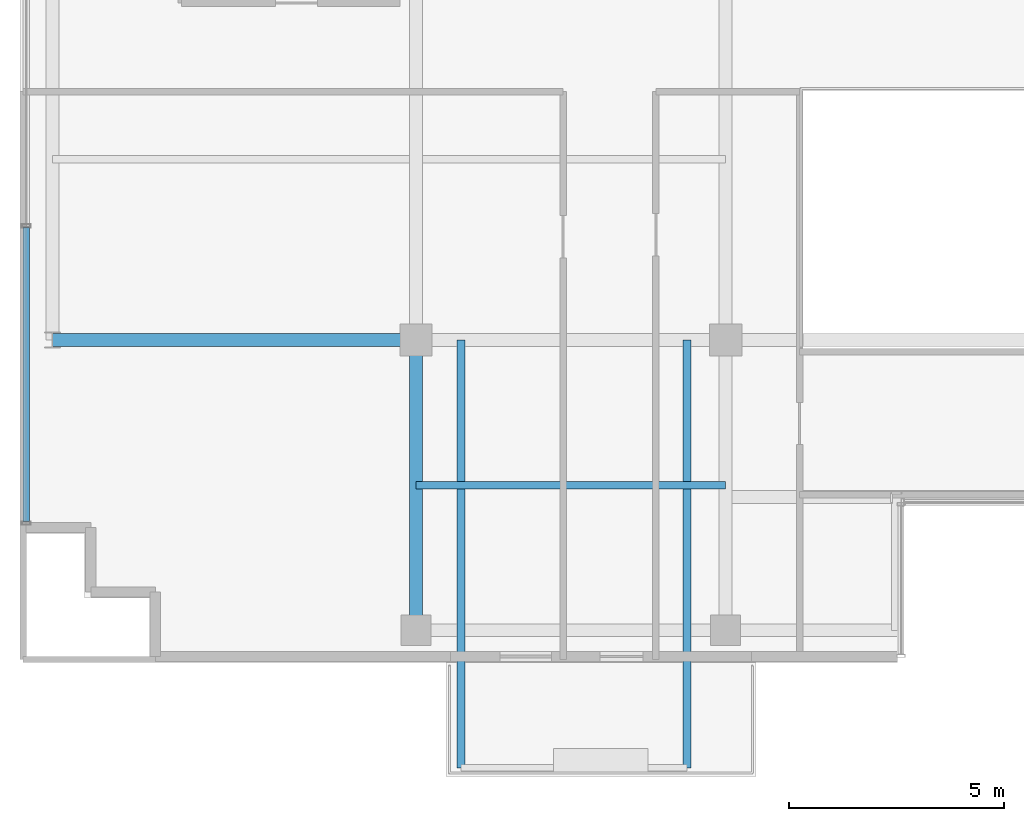
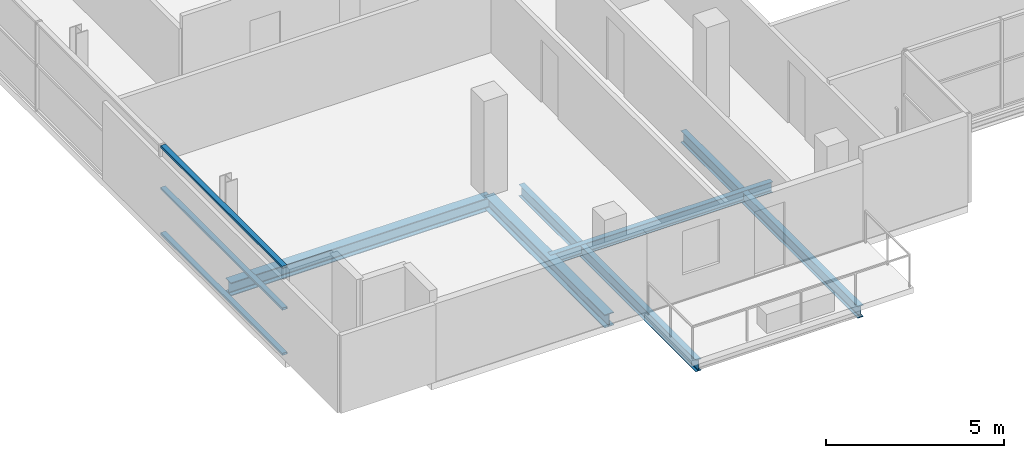
# One storey, part 3 of 22: 5 beams, 3 members, 1 element without a shape of its own.
"""IFC4 building model written with IfcOpenShell, lengths in metres."""

from ifc_helpers import new_model, si_unit, direction, frame, origin, origin_2d, place, context, subcontext, project, spatial, hollow_rectangle, i_section, extrude, source, transform, mapped, material, layer, layer_set, material_profile, profile_set, type_object, element, aggregate, save


model = new_model("IFC4")

# Units and contexts
model_context = context("Model", 3, precision=1e-05, world=origin(), true_north=direction((0.0, 1.0)))
body_context = subcontext(model_context, "Body", "Model", "MODEL_VIEW")
ifc_project = project(units=[si_unit("LENGTHUNIT", "METRE"), si_unit("AREAUNIT", "SQUARE_METRE"), si_unit("VOLUMEUNIT", "CUBIC_METRE"), si_unit("PLANEANGLEUNIT", "RADIAN"), si_unit("MASSUNIT", "GRAM", prefix="KILO")], contexts=[model_context])

# Site, building, storey
site_placement = place(None, origin())
site = spatial("IfcSite", under=ifc_project, at=site_placement, CompositionType="ELEMENT")
building_placement = place(site_placement, origin())
building = spatial("IfcBuilding", under=site, at=building_placement, Name="Zarnakvel Exchange Tower", CompositionType="ELEMENT")
storey_placement = place(building_placement, frame((0.0, 0.0, 225.39990234375)))
storey = spatial("IfcBuildingStorey", under=building, at=storey_placement, Name="L63", CompositionType="ELEMENT", Elevation=225.39990234375)

# Beams
ifc_material_1 = material(Name="Steel S355", Category="steel")
ifc_material_profile_1 = material_profile(ifc_material_1, i_section(OverallWidth=0.179931640625, OverallDepth=0.39990234375, WebThickness=0.008544921875, FlangeThickness=0.013427734375, FilletRadius=0.02099609375, at=origin_2d()))
ifc_profile_set_1 = profile_set([ifc_material_profile_1], Name="Steel S355")
beam_type_1 = type_object("IfcBeamType", Name="B-06", PredefinedType="JOIST", material=ifc_profile_set_1)
for number, where, z_axis, x_axis, name in (
    (1, (-13.35009765625, -9.60009765625, -0.4248046875), (0.0, -1.0, 0.0), (1.0, 0.0, 0.0), "L63 Continuous Back-Spanned Balcony Beam W"),
    (2, (-8.10009765625, -9.60009765625, -0.4248046875), (0.0, -1.0, 0.0), (1.0, 0.0, 0.0), "L63 Continuous Back-Spanned Balcony Beam E"),
):
    element("IfcBeam", number, at=place(storey_placement, frame(where, z_axis=z_axis, x_axis=x_axis)), inside=storey, type_object=beam_type_1, Name=name, PredefinedType="JOIST", context=body_context, shape_type="SweptSolid", body=[
        extrude(i_section(OverallWidth=0.179931640625, OverallDepth=0.39990234375, WebThickness=0.008544921875, FlangeThickness=0.013427734375, FilletRadius=0.02099609375, at=origin_2d()), origin(), (0.0, 0.0, 1.0), 9.949951171875),
    ])
ifc_material_profile_2 = material_profile(ifc_material_1, i_section(OverallWidth=0.169921875, OverallDepth=0.360107421875, WebThickness=0.008056640625, FlangeThickness=0.0126953125, FilletRadius=0.01806640625, at=origin_2d()))
ifc_profile_set_2 = profile_set([ifc_material_profile_2], Name="Steel S355")
beam_type_2 = type_object("IfcBeamType", Name="B-07", PredefinedType="JOIST", material=ifc_profile_set_2)
beam_1_placement = place(storey_placement, frame((-14.39990234375, -12.97509765625, -0.40478515625), z_axis=(1.0, 0.0, 0.0), x_axis=(0.0, 1.0, 0.0)))
element("IfcBeam", 3, at=beam_1_placement, inside=storey, type_object=beam_type_2, Name="L63 Composite Floor Secondary Joist", PredefinedType="JOIST", context=body_context, shape_type="SweptSolid", body=[
    extrude(i_section(OverallWidth=0.169921875, OverallDepth=0.360107421875, WebThickness=0.008056640625, FlangeThickness=0.0126953125, FilletRadius=0.01806640625, at=origin_2d()), origin(), (0.0, 0.0, 1.0), 7.199951171875),
])
ifc_material_profile_3 = material_profile(ifc_material_1, i_section(OverallWidth=0.300048828125, OverallDepth=0.449951171875, WebThickness=0.013916015625, FlangeThickness=0.02587890625, FilletRadius=0.027099609375, at=origin_2d()))
ifc_profile_set_3 = profile_set([ifc_material_profile_3], Name="Steel S355")
beam_type_3 = type_object("IfcBeamType", Name="G-07", PredefinedType="BEAM", material=ifc_profile_set_3)
beam_2_placement = place(storey_placement, frame((-22.85009765625, -9.60009765625, -0.449951171875), z_axis=(1.0, 0.0, 0.0), x_axis=(0.0, 1.0, 0.0)))
element("IfcBeam", 4, at=beam_2_placement, inside=storey, type_object=beam_type_3, Name="L63 Tower E-W Frame Beam", PredefinedType="BEAM", context=body_context, shape_type="SweptSolid", body=[
    extrude(i_section(OverallWidth=0.300048828125, OverallDepth=0.449951171875, WebThickness=0.013916015625, FlangeThickness=0.02587890625, FilletRadius=0.027099609375, at=origin_2d()), origin(), (0.0, 0.0, 1.0), 8.4501953125),
])
beam_3_placement = place(storey_placement, frame((-14.39990234375, -16.35009765625, -0.449951171875), z_axis=(0.0, 1.0, 0.0), x_axis=(-1.0, 0.0, 0.0)))
element("IfcBeam", 5, at=beam_3_placement, inside=storey, type_object=beam_type_3, Name="L63 Tower N-S Frame Beam", PredefinedType="BEAM", context=body_context, shape_type="SweptSolid", body=[
    extrude(i_section(OverallWidth=0.300048828125, OverallDepth=0.449951171875, WebThickness=0.013916015625, FlangeThickness=0.02587890625, FilletRadius=0.027099609375, at=origin_2d()), origin(), (0.0, 0.0, 1.0), 6.75),
])

# Curtain wall, members
ifc_material_2 = material(Name="Architectural Bronze Anodised Aluminium", Category="aluminium")
ifc_layer = layer(ifc_material_2, 0.199951171875)
ifc_layer_set = layer_set([ifc_layer], Name="Architectural Bronze Anodised Aluminium")
curtain_wall_type = type_object("IfcCurtainWallType", Name="CW-04", PredefinedType="NOTDEFINED", material=ifc_layer_set)
curtain_wall_placement = place(storey_placement, origin())
curtain_wall = element("IfcCurtainWall", 6, at=curtain_wall_placement, inside=storey, type_object=curtain_wall_type, Name="L63 Curtain Wall CW-L63-W1 (CW-04)", PredefinedType="NOTDEFINED")
ifc_material_profile_4 = material_profile(ifc_material_2, hollow_rectangle(XDim=0.159912109375, YDim=0.074951171875, WallThickness=0.00390625, at=origin_2d()))
ifc_profile_set_4 = profile_set([ifc_material_profile_4], Name="Architectural Bronze Anodised Aluminium")
member_type = type_object("IfcMemberType", Name="CWT-04", PredefinedType="USERDEFINED", material=ifc_profile_set_4)
shared_shape = source(origin(), body_context, "Body", "SweptSolid", [
    extrude(hollow_rectangle(XDim=0.159912109375, YDim=0.074951171875, WallThickness=0.00390625, at=origin_2d()), origin(), (0.0, 0.0, 1.0), 6.83740234375),
])
member_1_placement = place(storey_placement, frame((-23.4599609375, -13.824951171875, 0.03759765625), z_axis=(0.0, 1.0, 0.0), x_axis=(-1.0, 0.0, 0.0)))
member_1 = element("IfcMember", 7, at=member_1_placement, type_object=member_type, Name="CW-04 transom 1.1", ObjectType="TRANSOM", PredefinedType="USERDEFINED", context=body_context, shape_type="MappedRepresentation", body=[
    mapped(shared_shape, transform((0.0, 0.0, 0.0), x_axis=(1.0, 0.0, 0.0), y_axis=(0.0, 1.0, 0.0), z_axis=(0.0, 0.0, 1.0), scale=1.0)),
])
member_2_placement = place(storey_placement, frame((-23.4599609375, -13.824951171875, 1.588623046875), z_axis=(0.0, 1.0, 0.0), x_axis=(-1.0, 0.0, 0.0)))
member_2 = element("IfcMember", 8, at=member_2_placement, type_object=member_type, Name="CW-04 transom 1.2", ObjectType="TRANSOM", PredefinedType="USERDEFINED", context=body_context, shape_type="MappedRepresentation", body=[
    mapped(shared_shape, transform((0.0, 0.0, 0.0), x_axis=(1.0, 0.0, 0.0), y_axis=(0.0, 1.0, 0.0), z_axis=(0.0, 0.0, 1.0), scale=1.0)),
])
member_3_placement = place(storey_placement, frame((-23.4599609375, -13.824951171875, 3.017578125), z_axis=(0.0, 1.0, 0.0), x_axis=(-1.0, 0.0, 0.0)))
member_3 = element("IfcMember", 9, at=member_3_placement, type_object=member_type, Name="CW-04 transom 1.3", ObjectType="TRANSOM", PredefinedType="USERDEFINED", context=body_context, shape_type="MappedRepresentation", body=[
    mapped(shared_shape, transform((0.0, 0.0, 0.0), x_axis=(1.0, 0.0, 0.0), y_axis=(0.0, 1.0, 0.0), z_axis=(0.0, 0.0, 1.0), scale=1.0)),
])
aggregate(curtain_wall, [member_1, member_2, member_3])

save(model, "model.ifc")
